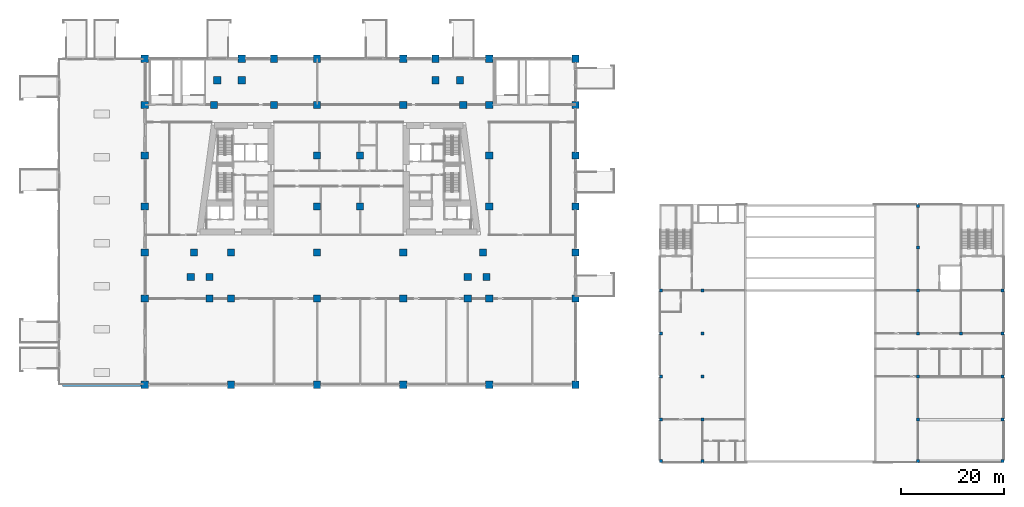
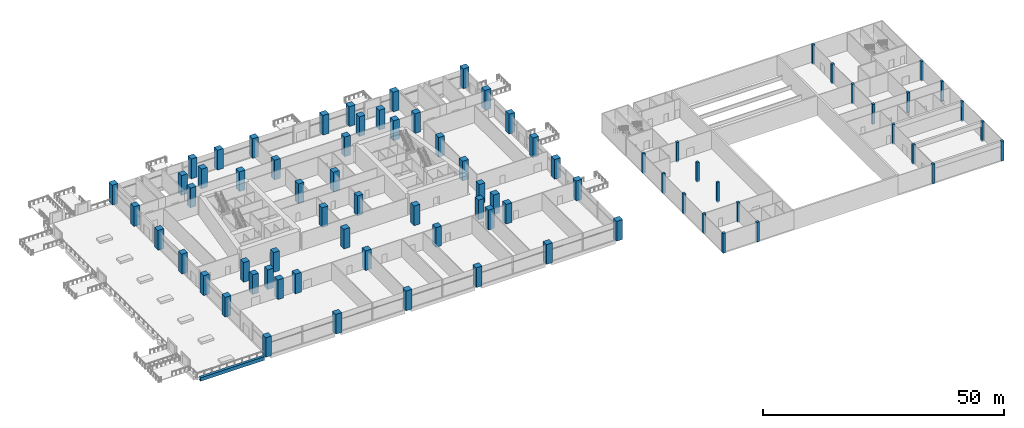
# One storey, part 1 of 33: 78 columns, 1 beam.
"""IFC4 building model written with IfcOpenShell, lengths in metres."""

from ifc_helpers import new_model, si_unit, direction, frame, origin, origin_2d, place, context, subcontext, project, spatial, rectangle, extrude, material, material_profile, profile_set, type_object, element, save


model = new_model("IFC4")

# Units and contexts
model_context = context("Model", 3, precision=1e-05, world=origin(), true_north=direction((0.0, 1.0)))
body_context = subcontext(model_context, "Body", "Model", "MODEL_VIEW")
ifc_project = project(units=[si_unit("LENGTHUNIT", "METRE"), si_unit("AREAUNIT", "SQUARE_METRE"), si_unit("VOLUMEUNIT", "CUBIC_METRE"), si_unit("PLANEANGLEUNIT", "RADIAN"), si_unit("MASSUNIT", "GRAM", prefix="KILO")], contexts=[model_context])

# Site, building, storey
site_placement = place(None, origin())
site = spatial("IfcSite", under=ifc_project, at=site_placement, CompositionType="ELEMENT")
building_placement = place(site_placement, origin())
building = spatial("IfcBuilding", under=site, at=building_placement, Name="Candeia Pilgrim Tower and Theatre", CompositionType="ELEMENT")
storey_placement = place(building_placement, frame((0.0, 0.0, 29.0)))
storey = spatial("IfcBuildingStorey", under=building, at=storey_placement, Name="L04", CompositionType="ELEMENT", Elevation=29.0)

# Columns
ifc_material_1 = material(Name="Concrete C80/95", Category="concrete")
ifc_material_profile_1 = material_profile(ifc_material_1, rectangle(XDim=1.39990234375, YDim=1.39990234375, at=origin_2d()))
ifc_profile_set_1 = profile_set([ifc_material_profile_1], Name="Concrete C80/95")
column_type_1 = type_object("IfcColumnType", Name="RC 1400x1400 C80/95", PredefinedType="COLUMN", material=ifc_profile_set_1)
for number, where, z_axis, x_axis, name in (
    (1, (75.60009765625, 81.199951171875, 0.0), (0.0, 0.0, 1.0), (1.0, 0.0, 0.0), "Column P-0084-0168"),
    (2, (92.39990234375, 81.199951171875, 0.0), (0.0, 0.0, 1.0), (1.0, 0.0, 0.0), "Column P+0084-0168"),
    (3, (109.199951171875, 81.199951171875, 0.0), (0.0, 0.0, 1.0), (1.0, 0.0, 0.0), "Column P+0252-0168"),
    (4, (126.0, 81.199951171875, 0.0), (0.0, 0.0, 1.0), (1.0, 0.0, 0.0), "Column P+0420-0168"),
    (5, (142.800048828125, 81.199951171875, 0.0), (0.0, 0.0, 1.0), (1.0, 0.0, 0.0), "Column P+0588-0168"),
    (6, (159.60009765625, 81.199951171875, 0.0), (0.0, 0.0, 1.0), (1.0, 0.0, 0.0), "Column P+0756-0168"),
    (7, (75.60009765625, 98.0, 0.0), (0.0, 0.0, 1.0), (1.0, 0.0, 0.0), "Column P-0084+0000"),
    (8, (88.199951171875, 98.0, 0.0), (0.0, 0.0, 1.0), (1.0, 0.0, 0.0), "Column P+0042+0000"),
    (9, (92.39990234375, 98.0, 0.0), (0.0, 0.0, 1.0), (1.0, 0.0, 0.0), "Column P+0084+0000"),
    (10, (109.199951171875, 98.0, 0.0), (0.0, 0.0, 1.0), (1.0, 0.0, 0.0), "Column P+0252+0000"),
    (11, (126.0, 98.0, 0.0), (0.0, 0.0, 1.0), (1.0, 0.0, 0.0), "Column P+0420+0000"),
    (12, (138.60009765625, 98.0, 0.0), (0.0, 0.0, 1.0), (1.0, 0.0, 0.0), "Column P+0546+0000"),
    (13, (142.800048828125, 98.0, 0.0), (0.0, 0.0, 1.0), (1.0, 0.0, 0.0), "Column P+0588+0000"),
    (14, (159.60009765625, 98.0, 0.0), (0.0, 0.0, 1.0), (1.0, 0.0, 0.0), "Column P+0756+0000"),
    (15, (84.5654296875, 102.199951171875, 0.0), (0.0, 0.0, 1.0), (1.0, 0.0, 0.0), "Column P+0006+0042"),
    (16, (88.199951171875, 102.199951171875, 0.0), (0.0, 0.0, 1.0), (1.0, 0.0, 0.0), "Column P+0042+0042"),
    (17, (138.60009765625, 102.199951171875, 0.0), (0.0, 0.0, 1.0), (1.0, 0.0, 0.0), "Column P+0546+0042"),
    (18, (142.234619140625, 102.199951171875, 0.0), (0.0, 0.0, 1.0), (1.0, 0.0, 0.0), "Column P+0582+0042"),
    (19, (75.60009765625, 107.0, 0.0), (0.0, 0.0, 1.0), (1.0, 0.0, 0.0), "Column P-0084+0090"),
    (20, (85.21142578125, 107.0, 0.0), (0.0, 0.0, 1.0), (1.0, 0.0, 0.0), "Column P+0012+0090"),
    (21, (92.39990234375, 107.0, 0.0), (0.0, 0.0, 1.0), (1.0, 0.0, 0.0), "Column P+0084+0090"),
    (22, (109.199951171875, 107.0, 0.0), (0.0, 0.0, 1.0), (1.0, 0.0, 0.0), "Column P+0252+0090"),
    (23, (126.0, 107.0, 0.0), (0.0, 0.0, 1.0), (1.0, 0.0, 0.0), "Column P+0420+0090"),
    (24, (141.58837890625, 107.0, 0.0), (0.0, 0.0, 1.0), (1.0, 0.0, 0.0), "Column P+0576+0090"),
    (25, (159.60009765625, 107.0, 0.0), (0.0, 0.0, 1.0), (1.0, 0.0, 0.0), "Column P+0756+0090"),
    (26, (75.60009765625, 116.0, 0.0), (0.0, 0.0, 1.0), (1.0, 0.0, 0.0), "Column P-0084+0180"),
    (27, (109.199951171875, 116.0, 0.0), (0.0, 0.0, 1.0), (1.0, 0.0, 0.0), "Column P+0252+0180"),
    (28, (117.60009765625, 116.0, 0.0), (0.0, 0.0, 1.0), (1.0, 0.0, 0.0), "Column P+0336+0180"),
    (29, (142.800048828125, 116.0, 0.0), (0.0, 0.0, 1.0), (1.0, 0.0, 0.0), "Column P+0588+0180"),
    (30, (159.60009765625, 116.0, 0.0), (0.0, 0.0, 1.0), (1.0, 0.0, 0.0), "Column P+0756+0180"),
    (31, (75.60009765625, 125.89990234375, 0.0), (0.0, 0.0, 1.0), (1.0, 0.0, 0.0), "Column P-0084+0279"),
    (32, (109.199951171875, 125.89990234375, 0.0), (0.0, 0.0, 1.0), (1.0, 0.0, 0.0), "Column P+0252+0279"),
    (33, (117.60009765625, 125.89990234375, 0.0), (0.0, 0.0, 1.0), (1.0, 0.0, 0.0), "Column P+0336+0279"),
    (34, (142.800048828125, 125.89990234375, 0.0), (0.0, 0.0, 1.0), (1.0, 0.0, 0.0), "Column P+0588+0279"),
    (35, (159.60009765625, 125.89990234375, 0.0), (0.0, 0.0, 1.0), (1.0, 0.0, 0.0), "Column P+0756+0279"),
    (36, (75.60009765625, 135.800048828125, 0.0), (0.0, 0.0, 1.0), (1.0, 0.0, 0.0), "Column P-0084+0378"),
    (37, (89.08837890625, 135.800048828125, 0.0), (0.0, 0.0, 1.0), (1.0, 0.0, 0.0), "Column P+0051+0378"),
    (38, (100.800048828125, 135.800048828125, 0.0), (0.0, 0.0, 1.0), (1.0, 0.0, 0.0), "Column P+0168+0378"),
    (39, (109.199951171875, 135.800048828125, 0.0), (0.0, 0.0, 1.0), (1.0, 0.0, 0.0), "Column P+0252+0378"),
    (40, (126.0, 135.800048828125, 0.0), (0.0, 0.0, 1.0), (1.0, 0.0, 0.0), "Column P+0420+0378"),
    (41, (137.71142578125, 135.800048828125, 0.0), (0.0, 0.0, 1.0), (1.0, 0.0, 0.0), "Column P+0537+0378"),
    (42, (142.800048828125, 135.800048828125, 0.0), (0.0, 0.0, 1.0), (1.0, 0.0, 0.0), "Column P+0588+0378"),
    (43, (159.60009765625, 135.800048828125, 0.0), (0.0, 0.0, 1.0), (1.0, 0.0, 0.0), "Column P+0756+0378"),
    (44, (89.734619140625, 140.60009765625, 0.0), (0.0, 0.0, 1.0), (1.0, 0.0, 0.0), "Column P+0057+0426"),
    (45, (94.5, 140.60009765625, 0.0), (0.0, 0.0, 1.0), (1.0, 0.0, 0.0), "Column P+0105+0426"),
    (46, (132.300048828125, 140.60009765625, 0.0), (0.0, 0.0, 1.0), (1.0, 0.0, 0.0), "Column P+0483+0426"),
    (47, (137.0654296875, 140.60009765625, 0.0), (0.0, 0.0, 1.0), (1.0, 0.0, 0.0), "Column P+0531+0426"),
    (48, (75.60009765625, 144.800048828125, 0.0), (0.0, 0.0, 1.0), (1.0, 0.0, 0.0), "Column P-0084+0468"),
    (49, (94.5, 144.800048828125, 0.0), (0.0, 0.0, 1.0), (1.0, 0.0, 0.0), "Column P+0105+0468"),
    (50, (100.800048828125, 144.800048828125, 0.0), (0.0, 0.0, 1.0), (1.0, 0.0, 0.0), "Column P+0168+0468"),
    (51, (109.199951171875, 144.800048828125, 0.0), (0.0, 0.0, 1.0), (1.0, 0.0, 0.0), "Column P+0252+0468"),
    (52, (126.0, 144.800048828125, 0.0), (0.0, 0.0, 1.0), (1.0, 0.0, 0.0), "Column P+0420+0468"),
    (53, (132.300048828125, 144.800048828125, 0.0), (0.0, 0.0, 1.0), (1.0, 0.0, 0.0), "Column P+0483+0468"),
    (54, (142.800048828125, 144.800048828125, 0.0), (0.0, 0.0, 1.0), (1.0, 0.0, 0.0), "Column P+0588+0468"),
    (55, (159.60009765625, 144.800048828125, 0.0), (0.0, 0.0, 1.0), (1.0, 0.0, 0.0), "Column P+0756+0468"),
):
    element("IfcColumn", number, at=place(storey_placement, frame(where, z_axis=z_axis, x_axis=x_axis)), inside=storey, type_object=column_type_1, Name=name, PredefinedType="COLUMN", context=body_context, shape_type="SweptSolid", body=[
        extrude(rectangle(XDim=1.39990234375, YDim=1.39990234375, at=origin_2d()), origin(), (0.0, 0.0, 1.0), 5.0),
    ])
ifc_material_2 = material(Name="Concrete C40/50", Category="concrete")
ifc_material_profile_2 = material_profile(ifc_material_2, rectangle(XDim=0.60009765625, YDim=0.60009765625, at=origin_2d()))
ifc_profile_set_2 = profile_set([ifc_material_profile_2], Name="Concrete C40/50")
column_type_2 = type_object("IfcColumnType", Name="Theatre column 600x600", PredefinedType="COLUMN", material=ifc_profile_set_2)
for number, where, z_axis, x_axis, name in (
    (56, (176.300048828125, 66.300048828125, -0.300048828125), (0.0, 0.0, 1.0), (1.0, 0.0, 0.0), "Column TC-A1 L04"),
    (57, (176.300048828125, 74.39990234375, -0.300048828125), (0.0, 0.0, 1.0), (1.0, 0.0, 0.0), "Column TC-B1 L04"),
    (58, (176.300048828125, 82.800048828125, -0.300048828125), (0.0, 0.0, 1.0), (1.0, 0.0, 0.0), "Column TC-C1 L04"),
    (59, (176.300048828125, 91.199951171875, -0.300048828125), (0.0, 0.0, 1.0), (1.0, 0.0, 0.0), "Column TC-D1 L04"),
    (60, (176.300048828125, 99.60009765625, -0.300048828125), (0.0, 0.0, 1.0), (1.0, 0.0, 0.0), "Column TC-E1 L04"),
    (61, (184.39990234375, 66.300048828125, -0.300048828125), (0.0, 0.0, 1.0), (1.0, 0.0, 0.0), "Column TC-A2 L04"),
    (62, (184.39990234375, 74.39990234375, -0.300048828125), (0.0, 0.0, 1.0), (1.0, 0.0, 0.0), "Column TC-B2 L04"),
    (63, (184.39990234375, 82.800048828125, -0.300048828125), (0.0, 0.0, 1.0), (1.0, 0.0, 0.0), "Column TC-C2 L04"),
    (64, (184.39990234375, 91.199951171875, -0.300048828125), (0.0, 0.0, 1.0), (1.0, 0.0, 0.0), "Column TC-D2 L04"),
    (65, (184.39990234375, 99.60009765625, -0.300048828125), (0.0, 0.0, 1.0), (1.0, 0.0, 0.0), "Column TC-E2 L04"),
    (66, (226.39990234375, 66.300048828125, -0.300048828125), (0.0, 0.0, 1.0), (1.0, 0.0, 0.0), "Column TC-A7 L04"),
    (67, (226.39990234375, 74.39990234375, -0.300048828125), (0.0, 0.0, 1.0), (1.0, 0.0, 0.0), "Column TC-B7 L04"),
    (68, (226.39990234375, 82.800048828125, -0.300048828125), (0.0, 0.0, 1.0), (1.0, 0.0, 0.0), "Column TC-C7 L04"),
    (69, (226.39990234375, 91.199951171875, -0.300048828125), (0.0, 0.0, 1.0), (1.0, 0.0, 0.0), "Column TC-D7 L04"),
    (70, (226.39990234375, 99.60009765625, -0.300048828125), (0.0, 0.0, 1.0), (1.0, 0.0, 0.0), "Column TC-E7 L04"),
    (71, (226.39990234375, 108.0, -0.300048828125), (0.0, 0.0, 1.0), (1.0, 0.0, 0.0), "Column TC-F7 L04"),
    (72, (226.39990234375, 116.10009765625, -0.300048828125), (0.0, 0.0, 1.0), (1.0, 0.0, 0.0), "Column TC-G7 L04"),
    (73, (234.800048828125, 91.199951171875, -0.300048828125), (0.0, 0.0, 1.0), (1.0, 0.0, 0.0), "Column TC-D8 L04"),
    (74, (242.89990234375, 66.300048828125, -0.300048828125), (0.0, 0.0, 1.0), (1.0, 0.0, 0.0), "Column TC-A9 L04"),
    (75, (242.89990234375, 74.39990234375, -0.300048828125), (0.0, 0.0, 1.0), (1.0, 0.0, 0.0), "Column TC-B9 L04"),
    (76, (242.89990234375, 82.800048828125, -0.300048828125), (0.0, 0.0, 1.0), (1.0, 0.0, 0.0), "Column TC-C9 L04"),
    (77, (242.89990234375, 91.199951171875, -0.300048828125), (0.0, 0.0, 1.0), (1.0, 0.0, 0.0), "Column TC-D9 L04"),
    (78, (242.89990234375, 99.60009765625, -0.300048828125), (0.0, 0.0, 1.0), (1.0, 0.0, 0.0), "Column TC-E9 L04"),
):
    element("IfcColumn", number, at=place(storey_placement, frame(where, z_axis=z_axis, x_axis=x_axis)), inside=storey, type_object=column_type_2, Name=name, PredefinedType="COLUMN", context=body_context, shape_type="SweptSolid", body=[
        extrude(rectangle(XDim=0.60009765625, YDim=0.60009765625, at=origin_2d()), origin(), (0.0, 0.0, 1.0), 5.0),
    ])

# Beam
ifc_material_profile_3 = material_profile(ifc_material_1, rectangle(XDim=0.60009765625, YDim=0.89990234375, at=origin_2d()))
ifc_profile_set_3 = profile_set([ifc_material_profile_3], Name="Concrete C80/95")
beam_type = type_object("IfcBeamType", Name="RC 600x900 C80/95", PredefinedType="BEAM", material=ifc_profile_set_3)
beam_placement = place(storey_placement, frame((74.85009765625, 81.199951171875, -0.449951171875), z_axis=(-1.0, 0.0, 0.0), x_axis=(0.0, -1.0, 0.0)))
element("IfcBeam", 79, at=beam_placement, inside=storey, type_object=beam_type, Name="Spandrel beam L04-32", PredefinedType="BEAM", context=body_context, shape_type="SweptSolid", body=[
    extrude(rectangle(XDim=0.60009765625, YDim=0.89990234375, at=origin_2d()), origin(), (0.0, 0.0, 1.0), 15.300048828125),
])

save(model, "model.ifc")
